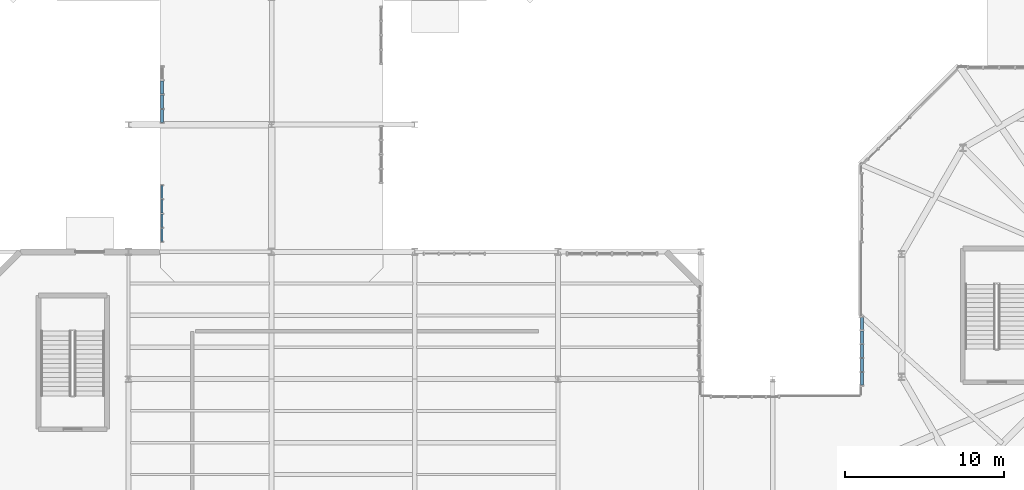
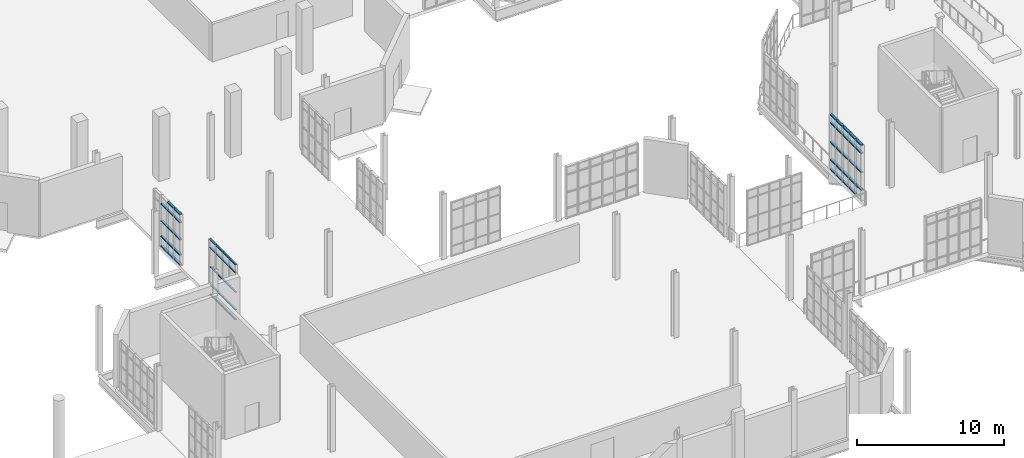
# One storey, part 115 of 189: 58 members, 3 elements without a shape of their own.
"""IFC4 building model written with IfcOpenShell, lengths in metres."""

from ifc_helpers import new_model, si_unit, direction, frame, origin, origin_2d, place, context, subcontext, project, spatial, hollow_rectangle, extrude, material, layer, layer_set, material_profile, profile_set, type_object, element, aggregate, save


model = new_model("IFC4")

# Units and contexts
model_context = context("Model", 3, precision=1e-05, world=origin(), true_north=direction((0.0, 1.0)))
body_context = subcontext(model_context, "Body", "Model", "MODEL_VIEW")
ifc_project = project(units=[si_unit("LENGTHUNIT", "METRE"), si_unit("AREAUNIT", "SQUARE_METRE"), si_unit("VOLUMEUNIT", "CUBIC_METRE"), si_unit("PLANEANGLEUNIT", "RADIAN"), si_unit("MASSUNIT", "GRAM", prefix="KILO"), si_unit("THERMODYNAMICTEMPERATUREUNIT", "KELVIN"), si_unit("POWERUNIT", "WATT")], contexts=[model_context])

# Site, building, storey
site_placement = place(None, origin())
site = spatial("IfcSite", under=ifc_project, at=site_placement, CompositionType="ELEMENT")
building_placement = place(site_placement, origin())
building = spatial("IfcBuilding", under=site, at=building_placement, Name="Zelmaris Science Centre", CompositionType="ELEMENT")
storey_placement = place(building_placement, origin())
storey = spatial("IfcBuildingStorey", under=building, at=storey_placement, Name="L00", CompositionType="ELEMENT", Elevation=0.0)

# Curtain wall, members
ifc_material = material(Name="Anodised architectural aluminium 6063-T6", Category="aluminium")
ifc_layer_1 = layer(ifc_material, 0.2099609375, Name="Anodised architectural aluminium 6063-T6")
ifc_layer_set_1 = layer_set([ifc_layer_1], Name="Anodised architectural aluminium 6063-T6")
curtain_wall_type_1 = type_object("IfcCurtainWallType", Name="Curtain Wall CW-03", PredefinedType="USERDEFINED", material=ifc_layer_set_1)
curtain_wall_1_placement = place(storey_placement, origin())
curtain_wall_1 = element("IfcCurtainWall", 1, at=curtain_wall_1_placement, inside=storey, type_object=curtain_wall_type_1, Name="L00 Unitised curtain wall 7", ObjectType="GLAZED CURTAIN WALL", PredefinedType="USERDEFINED")
ifc_material_profile_1 = material_profile(ifc_material, hollow_rectangle(XDim=0.06494140625, YDim=0.1298828125, WallThickness=0.00341796875, at=origin_2d()), Name="ALU-TRN-65X130")
ifc_profile_set_1 = profile_set([ifc_material_profile_1], Name="Anodised architectural aluminium 6063-T6")
member_type_1 = type_object("IfcMemberType", Name="ALU-TRN-65X130", PredefinedType="USERDEFINED", material=ifc_profile_set_1)
member_1_placement = place(storey_placement, frame((20.119384765625, 40.651123046875, 0.013427734375), z_axis=(-0.000297973765, 0.999999955606, 0.0), x_axis=(0.0, 0.0, 1.0)))
member_1 = element("IfcMember", 2, at=member_1_placement, type_object=member_type_1, Name="CW-03 transom 1.1", ObjectType="TRANSOM", PredefinedType="USERDEFINED", context=body_context, shape_type="SweptSolid", body=[
    extrude(hollow_rectangle(XDim=0.06494140625, YDim=0.1298828125, WallThickness=0.00341796875, at=origin_2d()), origin(), (0.0, 0.0, 1.0), 0.8193359375),
])
member_2_placement = place(storey_placement, frame((20.119384765625, 40.651123046875, 0.8349609375), z_axis=(-0.000297973765, 0.999999955606, 0.0), x_axis=(0.0, 0.0, 1.0)))
member_2 = element("IfcMember", 3, at=member_2_placement, type_object=member_type_1, Name="CW-03 transom 1.2", ObjectType="TRANSOM", PredefinedType="USERDEFINED", context=body_context, shape_type="SweptSolid", body=[
    extrude(hollow_rectangle(XDim=0.06494140625, YDim=0.1298828125, WallThickness=0.00341796875, at=origin_2d()), origin(), (0.0, 0.0, 1.0), 0.8193359375),
])
member_3_placement = place(storey_placement, frame((20.119384765625, 40.651123046875, 2.29248046875), z_axis=(-0.000297973765, 0.999999955606, 0.0), x_axis=(0.0, 0.0, 1.0)))
member_3 = element("IfcMember", 4, at=member_3_placement, type_object=member_type_1, Name="CW-03 transom 1.3", ObjectType="TRANSOM", PredefinedType="USERDEFINED", context=body_context, shape_type="SweptSolid", body=[
    extrude(hollow_rectangle(XDim=0.06494140625, YDim=0.1298828125, WallThickness=0.00341796875, at=origin_2d()), origin(), (0.0, 0.0, 1.0), 0.8193359375),
])
member_4_placement = place(storey_placement, frame((20.119384765625, 40.651123046875, 3.89990234375), z_axis=(-0.000297973765, 0.999999955606, 0.0), x_axis=(0.0, 0.0, 1.0)))
member_4 = element("IfcMember", 5, at=member_4_placement, type_object=member_type_1, Name="CW-03 transom 1.4", ObjectType="TRANSOM", PredefinedType="USERDEFINED", context=body_context, shape_type="SweptSolid", body=[
    extrude(hollow_rectangle(XDim=0.06494140625, YDim=0.1298828125, WallThickness=0.00341796875, at=origin_2d()), origin(), (0.0, 0.0, 1.0), 0.8193359375),
])
member_5_placement = place(storey_placement, frame((20.119384765625, 40.651123046875, 4.571533203125), z_axis=(-0.000297973765, 0.999999955606, 0.0), x_axis=(0.0, 0.0, 1.0)))
member_5 = element("IfcMember", 6, at=member_5_placement, type_object=member_type_1, Name="CW-03 transom 1.5", ObjectType="TRANSOM", PredefinedType="USERDEFINED", context=body_context, shape_type="SweptSolid", body=[
    extrude(hollow_rectangle(XDim=0.06494140625, YDim=0.1298828125, WallThickness=0.00341796875, at=origin_2d()), origin(), (0.0, 0.0, 1.0), 0.8193359375),
])
member_6_placement = place(storey_placement, frame((20.119140625, 41.52734375, 0.013427734375), z_axis=(-0.000576036771, 0.999999834091, 0.0), x_axis=(0.0, 0.0, 1.0)))
member_6 = element("IfcMember", 7, at=member_6_placement, type_object=member_type_1, Name="CW-03 transom 2.1", ObjectType="TRANSOM", PredefinedType="USERDEFINED", context=body_context, shape_type="SweptSolid", body=[
    extrude(hollow_rectangle(XDim=0.06494140625, YDim=0.1298828125, WallThickness=0.00341796875, at=origin_2d()), origin(), (0.0, 0.0, 1.0), 0.84765625),
])
member_7_placement = place(storey_placement, frame((20.119140625, 41.52734375, 0.8349609375), z_axis=(-0.000576036771, 0.999999834091, 0.0), x_axis=(0.0, 0.0, 1.0)))
member_7 = element("IfcMember", 8, at=member_7_placement, type_object=member_type_1, Name="CW-03 transom 2.2", ObjectType="TRANSOM", PredefinedType="USERDEFINED", context=body_context, shape_type="SweptSolid", body=[
    extrude(hollow_rectangle(XDim=0.06494140625, YDim=0.1298828125, WallThickness=0.00341796875, at=origin_2d()), origin(), (0.0, 0.0, 1.0), 0.84765625),
])
member_8_placement = place(storey_placement, frame((20.119140625, 41.52734375, 2.29248046875), z_axis=(-0.000576036771, 0.999999834091, 0.0), x_axis=(0.0, 0.0, 1.0)))
member_8 = element("IfcMember", 9, at=member_8_placement, type_object=member_type_1, Name="CW-03 transom 2.3", ObjectType="TRANSOM", PredefinedType="USERDEFINED", context=body_context, shape_type="SweptSolid", body=[
    extrude(hollow_rectangle(XDim=0.06494140625, YDim=0.1298828125, WallThickness=0.00341796875, at=origin_2d()), origin(), (0.0, 0.0, 1.0), 0.84765625),
])
member_9_placement = place(storey_placement, frame((20.119140625, 41.52734375, 3.89990234375), z_axis=(-0.000576036771, 0.999999834091, 0.0), x_axis=(0.0, 0.0, 1.0)))
member_9 = element("IfcMember", 10, at=member_9_placement, type_object=member_type_1, Name="CW-03 transom 2.4", ObjectType="TRANSOM", PredefinedType="USERDEFINED", context=body_context, shape_type="SweptSolid", body=[
    extrude(hollow_rectangle(XDim=0.06494140625, YDim=0.1298828125, WallThickness=0.00341796875, at=origin_2d()), origin(), (0.0, 0.0, 1.0), 0.84765625),
])
member_10_placement = place(storey_placement, frame((20.119140625, 41.52734375, 4.571533203125), z_axis=(-0.000576036771, 0.999999834091, 0.0), x_axis=(0.0, 0.0, 1.0)))
member_10 = element("IfcMember", 11, at=member_10_placement, type_object=member_type_1, Name="CW-03 transom 2.5", ObjectType="TRANSOM", PredefinedType="USERDEFINED", context=body_context, shape_type="SweptSolid", body=[
    extrude(hollow_rectangle(XDim=0.06494140625, YDim=0.1298828125, WallThickness=0.00341796875, at=origin_2d()), origin(), (0.0, 0.0, 1.0), 0.84765625),
])
member_11_placement = place(storey_placement, frame((20.11865234375, 42.431884765625, 0.013427734375), z_axis=(-0.000288018421, 0.999999958523, 0.0), x_axis=(0.0, 0.0, 1.0)))
member_11 = element("IfcMember", 12, at=member_11_placement, type_object=member_type_1, Name="CW-03 transom 3.1", ObjectType="TRANSOM", PredefinedType="USERDEFINED", context=body_context, shape_type="SweptSolid", body=[
    extrude(hollow_rectangle(XDim=0.06494140625, YDim=0.1298828125, WallThickness=0.00341796875, at=origin_2d()), origin(), (0.0, 0.0, 1.0), 0.84765625),
])
member_12_placement = place(storey_placement, frame((20.11865234375, 42.431884765625, 0.8349609375), z_axis=(-0.000288018421, 0.999999958523, 0.0), x_axis=(0.0, 0.0, 1.0)))
member_12 = element("IfcMember", 13, at=member_12_placement, type_object=member_type_1, Name="CW-03 transom 3.2", ObjectType="TRANSOM", PredefinedType="USERDEFINED", context=body_context, shape_type="SweptSolid", body=[
    extrude(hollow_rectangle(XDim=0.06494140625, YDim=0.1298828125, WallThickness=0.00341796875, at=origin_2d()), origin(), (0.0, 0.0, 1.0), 0.84765625),
])
member_13_placement = place(storey_placement, frame((20.11865234375, 42.431884765625, 2.29248046875), z_axis=(-0.000288018421, 0.999999958523, 0.0), x_axis=(0.0, 0.0, 1.0)))
member_13 = element("IfcMember", 14, at=member_13_placement, type_object=member_type_1, Name="CW-03 transom 3.3", ObjectType="TRANSOM", PredefinedType="USERDEFINED", context=body_context, shape_type="SweptSolid", body=[
    extrude(hollow_rectangle(XDim=0.06494140625, YDim=0.1298828125, WallThickness=0.00341796875, at=origin_2d()), origin(), (0.0, 0.0, 1.0), 0.84765625),
])
member_14_placement = place(storey_placement, frame((20.11865234375, 42.431884765625, 3.89990234375), z_axis=(-0.000288018421, 0.999999958523, 0.0), x_axis=(0.0, 0.0, 1.0)))
member_14 = element("IfcMember", 15, at=member_14_placement, type_object=member_type_1, Name="CW-03 transom 3.4", ObjectType="TRANSOM", PredefinedType="USERDEFINED", context=body_context, shape_type="SweptSolid", body=[
    extrude(hollow_rectangle(XDim=0.06494140625, YDim=0.1298828125, WallThickness=0.00341796875, at=origin_2d()), origin(), (0.0, 0.0, 1.0), 0.84765625),
])
member_15_placement = place(storey_placement, frame((20.11865234375, 42.431884765625, 4.571533203125), z_axis=(-0.000288018421, 0.999999958523, 0.0), x_axis=(0.0, 0.0, 1.0)))
member_15 = element("IfcMember", 16, at=member_15_placement, type_object=member_type_1, Name="CW-03 transom 3.5", ObjectType="TRANSOM", PredefinedType="USERDEFINED", context=body_context, shape_type="SweptSolid", body=[
    extrude(hollow_rectangle(XDim=0.06494140625, YDim=0.1298828125, WallThickness=0.00341796875, at=origin_2d()), origin(), (0.0, 0.0, 1.0), 0.84765625),
])
member_16_placement = place(storey_placement, frame((20.118408203125, 43.336669921875, 0.013427734375), z_axis=(-0.00059612508, 0.999999822317, 0.0), x_axis=(0.0, 0.0, 1.0)))
member_16 = element("IfcMember", 17, at=member_16_placement, type_object=member_type_1, Name="CW-03 transom 4.1", ObjectType="TRANSOM", PredefinedType="USERDEFINED", context=body_context, shape_type="SweptSolid", body=[
    extrude(hollow_rectangle(XDim=0.06494140625, YDim=0.1298828125, WallThickness=0.00341796875, at=origin_2d()), origin(), (0.0, 0.0, 1.0), 0.819091796875),
])
member_17_placement = place(storey_placement, frame((20.118408203125, 43.336669921875, 0.8349609375), z_axis=(-0.00059612508, 0.999999822317, 0.0), x_axis=(0.0, 0.0, 1.0)))
member_17 = element("IfcMember", 18, at=member_17_placement, type_object=member_type_1, Name="CW-03 transom 4.2", ObjectType="TRANSOM", PredefinedType="USERDEFINED", context=body_context, shape_type="SweptSolid", body=[
    extrude(hollow_rectangle(XDim=0.06494140625, YDim=0.1298828125, WallThickness=0.00341796875, at=origin_2d()), origin(), (0.0, 0.0, 1.0), 0.819091796875),
])
member_18_placement = place(storey_placement, frame((20.118408203125, 43.336669921875, 2.29248046875), z_axis=(-0.00059612508, 0.999999822317, 0.0), x_axis=(0.0, 0.0, 1.0)))
member_18 = element("IfcMember", 19, at=member_18_placement, type_object=member_type_1, Name="CW-03 transom 4.3", ObjectType="TRANSOM", PredefinedType="USERDEFINED", context=body_context, shape_type="SweptSolid", body=[
    extrude(hollow_rectangle(XDim=0.06494140625, YDim=0.1298828125, WallThickness=0.00341796875, at=origin_2d()), origin(), (0.0, 0.0, 1.0), 0.819091796875),
])
member_19_placement = place(storey_placement, frame((20.118408203125, 43.336669921875, 3.89990234375), z_axis=(-0.00059612508, 0.999999822317, 0.0), x_axis=(0.0, 0.0, 1.0)))
member_19 = element("IfcMember", 20, at=member_19_placement, type_object=member_type_1, Name="CW-03 transom 4.4", ObjectType="TRANSOM", PredefinedType="USERDEFINED", context=body_context, shape_type="SweptSolid", body=[
    extrude(hollow_rectangle(XDim=0.06494140625, YDim=0.1298828125, WallThickness=0.00341796875, at=origin_2d()), origin(), (0.0, 0.0, 1.0), 0.819091796875),
])
member_20_placement = place(storey_placement, frame((20.118408203125, 43.336669921875, 4.571533203125), z_axis=(-0.00059612508, 0.999999822317, 0.0), x_axis=(0.0, 0.0, 1.0)))
member_20 = element("IfcMember", 21, at=member_20_placement, type_object=member_type_1, Name="CW-03 transom 4.5", ObjectType="TRANSOM", PredefinedType="USERDEFINED", context=body_context, shape_type="SweptSolid", body=[
    extrude(hollow_rectangle(XDim=0.06494140625, YDim=0.1298828125, WallThickness=0.00341796875, at=origin_2d()), origin(), (0.0, 0.0, 1.0), 0.819091796875),
])
aggregate(curtain_wall_1, [member_1, member_2, member_3, member_4, member_5, member_6, member_7, member_8, member_9, member_10, member_11, member_12, member_13, member_14, member_15, member_16, member_17, member_18, member_19, member_20])

ifc_layer_2 = layer(ifc_material, 0.18994140625, Name="Anodised architectural aluminium 6063-T6")
ifc_layer_set_2 = layer_set([ifc_layer_2], Name="Anodised architectural aluminium 6063-T6")
curtain_wall_type_2 = type_object("IfcCurtainWallType", Name="Curtain Wall CW-01", PredefinedType="USERDEFINED", material=ifc_layer_set_2)
curtain_wall_2_placement = place(storey_placement, origin())
curtain_wall_2 = element("IfcCurtainWall", 22, at=curtain_wall_2_placement, inside=storey, type_object=curtain_wall_type_2, Name="L00 Unitised curtain wall 9", ObjectType="GLAZED CURTAIN WALL", PredefinedType="USERDEFINED")
ifc_material_profile_2 = material_profile(ifc_material, hollow_rectangle(XDim=0.080078125, YDim=0.18994140625, WallThickness=0.00439453125, at=origin_2d()), Name="ALU-TRN-80X190")
ifc_profile_set_2 = profile_set([ifc_material_profile_2], Name="Anodised architectural aluminium 6063-T6")
member_type_2 = type_object("IfcMemberType", Name="ALU-TRN-80X190", PredefinedType="USERDEFINED", material=ifc_profile_set_2)
member_21_placement = place(storey_placement, frame((20.1162109375, 48.143310546875, 0.02099609375), z_axis=(-0.000306466428, 0.999999953039, 0.0), x_axis=(0.0, 0.0, 1.0)))
member_21 = element("IfcMember", 23, at=member_21_placement, type_object=member_type_2, Name="CW-01 transom 1.1", ObjectType="TRANSOM", PredefinedType="USERDEFINED", context=body_context, shape_type="SweptSolid", body=[
    extrude(hollow_rectangle(XDim=0.080078125, YDim=0.18994140625, WallThickness=0.00439453125, at=origin_2d()), origin(), (0.0, 0.0, 1.0), 0.796630859375),
])
member_22_placement = place(storey_placement, frame((20.1162109375, 48.143310546875, 0.8349609375), z_axis=(-0.000306466428, 0.999999953039, 0.0), x_axis=(0.0, 0.0, 1.0)))
member_22 = element("IfcMember", 24, at=member_22_placement, type_object=member_type_2, Name="CW-01 transom 1.2", ObjectType="TRANSOM", PredefinedType="USERDEFINED", context=body_context, shape_type="SweptSolid", body=[
    extrude(hollow_rectangle(XDim=0.080078125, YDim=0.18994140625, WallThickness=0.00439453125, at=origin_2d()), origin(), (0.0, 0.0, 1.0), 0.796630859375),
])
member_23_placement = place(storey_placement, frame((20.1162109375, 48.143310546875, 2.109619140625), z_axis=(-0.000306466428, 0.999999953039, 0.0), x_axis=(0.0, 0.0, 1.0)))
member_23 = element("IfcMember", 25, at=member_23_placement, type_object=member_type_2, Name="CW-01 transom 1.3", ObjectType="TRANSOM", PredefinedType="USERDEFINED", context=body_context, shape_type="SweptSolid", body=[
    extrude(hollow_rectangle(XDim=0.080078125, YDim=0.18994140625, WallThickness=0.00439453125, at=origin_2d()), origin(), (0.0, 0.0, 1.0), 0.796630859375),
])
member_24_placement = place(storey_placement, frame((20.1162109375, 48.143310546875, 3.533935546875), z_axis=(-0.000306466428, 0.999999953039, 0.0), x_axis=(0.0, 0.0, 1.0)))
member_24 = element("IfcMember", 26, at=member_24_placement, type_object=member_type_2, Name="CW-01 transom 1.4", ObjectType="TRANSOM", PredefinedType="USERDEFINED", context=body_context, shape_type="SweptSolid", body=[
    extrude(hollow_rectangle(XDim=0.080078125, YDim=0.18994140625, WallThickness=0.00439453125, at=origin_2d()), origin(), (0.0, 0.0, 1.0), 0.796630859375),
])
member_25_placement = place(storey_placement, frame((20.1162109375, 48.143310546875, 4.197998046875), z_axis=(-0.000306466428, 0.999999953039, 0.0), x_axis=(0.0, 0.0, 1.0)))
member_25 = element("IfcMember", 27, at=member_25_placement, type_object=member_type_2, Name="CW-01 transom 1.5", ObjectType="TRANSOM", PredefinedType="USERDEFINED", context=body_context, shape_type="SweptSolid", body=[
    extrude(hollow_rectangle(XDim=0.080078125, YDim=0.18994140625, WallThickness=0.00439453125, at=origin_2d()), origin(), (0.0, 0.0, 1.0), 0.796630859375),
])
member_26_placement = place(storey_placement, frame((20.115966796875, 49.011962890625, 0.02099609375), z_axis=(-0.000586510163, 0.999999828003, 0.0), x_axis=(0.0, 0.0, 1.0)))
member_26 = element("IfcMember", 28, at=member_26_placement, type_object=member_type_2, Name="CW-01 transom 2.1", ObjectType="TRANSOM", PredefinedType="USERDEFINED", context=body_context, shape_type="SweptSolid", body=[
    extrude(hollow_rectangle(XDim=0.080078125, YDim=0.18994140625, WallThickness=0.00439453125, at=origin_2d()), origin(), (0.0, 0.0, 1.0), 0.83251953125),
])
member_27_placement = place(storey_placement, frame((20.115966796875, 49.011962890625, 0.8349609375), z_axis=(-0.000586510163, 0.999999828003, 0.0), x_axis=(0.0, 0.0, 1.0)))
member_27 = element("IfcMember", 29, at=member_27_placement, type_object=member_type_2, Name="CW-01 transom 2.2", ObjectType="TRANSOM", PredefinedType="USERDEFINED", context=body_context, shape_type="SweptSolid", body=[
    extrude(hollow_rectangle(XDim=0.080078125, YDim=0.18994140625, WallThickness=0.00439453125, at=origin_2d()), origin(), (0.0, 0.0, 1.0), 0.83251953125),
])
member_28_placement = place(storey_placement, frame((20.115966796875, 49.011962890625, 2.109619140625), z_axis=(-0.000586510163, 0.999999828003, 0.0), x_axis=(0.0, 0.0, 1.0)))
member_28 = element("IfcMember", 30, at=member_28_placement, type_object=member_type_2, Name="CW-01 transom 2.3", ObjectType="TRANSOM", PredefinedType="USERDEFINED", context=body_context, shape_type="SweptSolid", body=[
    extrude(hollow_rectangle(XDim=0.080078125, YDim=0.18994140625, WallThickness=0.00439453125, at=origin_2d()), origin(), (0.0, 0.0, 1.0), 0.83251953125),
])
member_29_placement = place(storey_placement, frame((20.115966796875, 49.011962890625, 3.533935546875), z_axis=(-0.000586510163, 0.999999828003, 0.0), x_axis=(0.0, 0.0, 1.0)))
member_29 = element("IfcMember", 31, at=member_29_placement, type_object=member_type_2, Name="CW-01 transom 2.4", ObjectType="TRANSOM", PredefinedType="USERDEFINED", context=body_context, shape_type="SweptSolid", body=[
    extrude(hollow_rectangle(XDim=0.080078125, YDim=0.18994140625, WallThickness=0.00439453125, at=origin_2d()), origin(), (0.0, 0.0, 1.0), 0.83251953125),
])
member_30_placement = place(storey_placement, frame((20.115966796875, 49.011962890625, 4.197998046875), z_axis=(-0.000586510163, 0.999999828003, 0.0), x_axis=(0.0, 0.0, 1.0)))
member_30 = element("IfcMember", 32, at=member_30_placement, type_object=member_type_2, Name="CW-01 transom 2.5", ObjectType="TRANSOM", PredefinedType="USERDEFINED", context=body_context, shape_type="SweptSolid", body=[
    extrude(hollow_rectangle(XDim=0.080078125, YDim=0.18994140625, WallThickness=0.00439453125, at=origin_2d()), origin(), (0.0, 0.0, 1.0), 0.83251953125),
])
member_31_placement = place(storey_placement, frame((20.115478515625, 49.91650390625, 0.02099609375), z_axis=(-0.000293169146, 0.999999957026, 0.0), x_axis=(0.0, 0.0, 1.0)))
member_31 = element("IfcMember", 33, at=member_31_placement, type_object=member_type_2, Name="CW-01 transom 3.1", ObjectType="TRANSOM", PredefinedType="USERDEFINED", context=body_context, shape_type="SweptSolid", body=[
    extrude(hollow_rectangle(XDim=0.080078125, YDim=0.18994140625, WallThickness=0.00439453125, at=origin_2d()), origin(), (0.0, 0.0, 1.0), 0.832763671875),
])
member_32_placement = place(storey_placement, frame((20.115478515625, 49.91650390625, 0.8349609375), z_axis=(-0.000293169146, 0.999999957026, 0.0), x_axis=(0.0, 0.0, 1.0)))
member_32 = element("IfcMember", 34, at=member_32_placement, type_object=member_type_2, Name="CW-01 transom 3.2", ObjectType="TRANSOM", PredefinedType="USERDEFINED", context=body_context, shape_type="SweptSolid", body=[
    extrude(hollow_rectangle(XDim=0.080078125, YDim=0.18994140625, WallThickness=0.00439453125, at=origin_2d()), origin(), (0.0, 0.0, 1.0), 0.832763671875),
])
member_33_placement = place(storey_placement, frame((20.115478515625, 49.91650390625, 2.109619140625), z_axis=(-0.000293169146, 0.999999957026, 0.0), x_axis=(0.0, 0.0, 1.0)))
member_33 = element("IfcMember", 35, at=member_33_placement, type_object=member_type_2, Name="CW-01 transom 3.3", ObjectType="TRANSOM", PredefinedType="USERDEFINED", context=body_context, shape_type="SweptSolid", body=[
    extrude(hollow_rectangle(XDim=0.080078125, YDim=0.18994140625, WallThickness=0.00439453125, at=origin_2d()), origin(), (0.0, 0.0, 1.0), 0.832763671875),
])
member_34_placement = place(storey_placement, frame((20.115478515625, 49.91650390625, 3.533935546875), z_axis=(-0.000293169146, 0.999999957026, 0.0), x_axis=(0.0, 0.0, 1.0)))
member_34 = element("IfcMember", 36, at=member_34_placement, type_object=member_type_2, Name="CW-01 transom 3.4", ObjectType="TRANSOM", PredefinedType="USERDEFINED", context=body_context, shape_type="SweptSolid", body=[
    extrude(hollow_rectangle(XDim=0.080078125, YDim=0.18994140625, WallThickness=0.00439453125, at=origin_2d()), origin(), (0.0, 0.0, 1.0), 0.832763671875),
])
aggregate(curtain_wall_2, [member_21, member_22, member_23, member_24, member_25, member_26, member_27, member_28, member_29, member_30, member_31, member_32, member_33, member_34])

curtain_wall_3_placement = place(storey_placement, origin())
curtain_wall_3 = element("IfcCurtainWall", 37, at=curtain_wall_3_placement, inside=storey, type_object=curtain_wall_type_2, Name="L00 Unitised curtain wall 49", ObjectType="GLAZED CURTAIN WALL", PredefinedType="USERDEFINED")
member_35_placement = place(storey_placement, frame((64.10693359375, 31.6337890625, 0.8349609375), z_axis=(0.000952078274, 0.999999546773, 0.0), x_axis=(0.0, 0.0, 1.0)))
member_35 = element("IfcMember", 38, at=member_35_placement, type_object=member_type_2, Name="CW-01 transom 1.2", ObjectType="TRANSOM", PredefinedType="USERDEFINED", context=body_context, shape_type="SweptSolid", body=[
    extrude(hollow_rectangle(XDim=0.080078125, YDim=0.18994140625, WallThickness=0.00439453125, at=origin_2d()), origin(), (0.0, 0.0, 1.0), 0.769287109375),
])
member_36_placement = place(storey_placement, frame((64.10693359375, 31.6337890625, 2.29248046875), z_axis=(0.000952078274, 0.999999546773, 0.0), x_axis=(0.0, 0.0, 1.0)))
member_36 = element("IfcMember", 39, at=member_36_placement, type_object=member_type_2, Name="CW-01 transom 1.3", ObjectType="TRANSOM", PredefinedType="USERDEFINED", context=body_context, shape_type="SweptSolid", body=[
    extrude(hollow_rectangle(XDim=0.080078125, YDim=0.18994140625, WallThickness=0.00439453125, at=origin_2d()), origin(), (0.0, 0.0, 1.0), 0.769287109375),
])
member_37_placement = place(storey_placement, frame((64.10693359375, 31.6337890625, 3.89990234375), z_axis=(0.000952078274, 0.999999546773, 0.0), x_axis=(0.0, 0.0, 1.0)))
member_37 = element("IfcMember", 40, at=member_37_placement, type_object=member_type_2, Name="CW-01 transom 1.4", ObjectType="TRANSOM", PredefinedType="USERDEFINED", context=body_context, shape_type="SweptSolid", body=[
    extrude(hollow_rectangle(XDim=0.080078125, YDim=0.18994140625, WallThickness=0.00439453125, at=origin_2d()), origin(), (0.0, 0.0, 1.0), 0.769287109375),
])
member_38_placement = place(storey_placement, frame((64.10693359375, 31.6337890625, 4.56396484375), z_axis=(0.000952078274, 0.999999546773, 0.0), x_axis=(0.0, 0.0, 1.0)))
member_38 = element("IfcMember", 41, at=member_38_placement, type_object=member_type_2, Name="CW-01 transom 1.5", ObjectType="TRANSOM", PredefinedType="USERDEFINED", context=body_context, shape_type="SweptSolid", body=[
    extrude(hollow_rectangle(XDim=0.080078125, YDim=0.18994140625, WallThickness=0.00439453125, at=origin_2d()), origin(), (0.0, 0.0, 1.0), 0.769287109375),
])
member_39_placement = place(storey_placement, frame((64.107666015625, 32.47509765625, 0.02099609375), z_axis=(0.000909641831, 0.999999586276, 0.0), x_axis=(0.0, 0.0, 1.0)))
member_39 = element("IfcMember", 42, at=member_39_placement, type_object=member_type_2, Name="CW-01 transom 2.1", ObjectType="TRANSOM", PredefinedType="USERDEFINED", context=body_context, shape_type="SweptSolid", body=[
    extrude(hollow_rectangle(XDim=0.080078125, YDim=0.18994140625, WallThickness=0.00439453125, at=origin_2d()), origin(), (0.0, 0.0, 1.0), 0.80517578125),
])
member_40_placement = place(storey_placement, frame((64.107666015625, 32.47509765625, 0.8349609375), z_axis=(0.000909641831, 0.999999586276, 0.0), x_axis=(0.0, 0.0, 1.0)))
member_40 = element("IfcMember", 43, at=member_40_placement, type_object=member_type_2, Name="CW-01 transom 2.2", ObjectType="TRANSOM", PredefinedType="USERDEFINED", context=body_context, shape_type="SweptSolid", body=[
    extrude(hollow_rectangle(XDim=0.080078125, YDim=0.18994140625, WallThickness=0.00439453125, at=origin_2d()), origin(), (0.0, 0.0, 1.0), 0.80517578125),
])
member_41_placement = place(storey_placement, frame((64.107666015625, 32.47509765625, 2.29248046875), z_axis=(0.000909641831, 0.999999586276, 0.0), x_axis=(0.0, 0.0, 1.0)))
member_41 = element("IfcMember", 44, at=member_41_placement, type_object=member_type_2, Name="CW-01 transom 2.3", ObjectType="TRANSOM", PredefinedType="USERDEFINED", context=body_context, shape_type="SweptSolid", body=[
    extrude(hollow_rectangle(XDim=0.080078125, YDim=0.18994140625, WallThickness=0.00439453125, at=origin_2d()), origin(), (0.0, 0.0, 1.0), 0.80517578125),
])
member_42_placement = place(storey_placement, frame((64.107666015625, 32.47509765625, 3.89990234375), z_axis=(0.000909641831, 0.999999586276, 0.0), x_axis=(0.0, 0.0, 1.0)))
member_42 = element("IfcMember", 45, at=member_42_placement, type_object=member_type_2, Name="CW-01 transom 2.4", ObjectType="TRANSOM", PredefinedType="USERDEFINED", context=body_context, shape_type="SweptSolid", body=[
    extrude(hollow_rectangle(XDim=0.080078125, YDim=0.18994140625, WallThickness=0.00439453125, at=origin_2d()), origin(), (0.0, 0.0, 1.0), 0.80517578125),
])
member_43_placement = place(storey_placement, frame((64.107666015625, 32.47509765625, 4.56396484375), z_axis=(0.000909641831, 0.999999586276, 0.0), x_axis=(0.0, 0.0, 1.0)))
member_43 = element("IfcMember", 46, at=member_43_placement, type_object=member_type_2, Name="CW-01 transom 2.5", ObjectType="TRANSOM", PredefinedType="USERDEFINED", context=body_context, shape_type="SweptSolid", body=[
    extrude(hollow_rectangle(XDim=0.080078125, YDim=0.18994140625, WallThickness=0.00439453125, at=origin_2d()), origin(), (0.0, 0.0, 1.0), 0.80517578125),
])
member_44_placement = place(storey_placement, frame((64.108642578125, 33.352294921875, 0.02099609375), z_axis=(0.000909641831, 0.999999586276, 0.0), x_axis=(0.0, 0.0, 1.0)))
member_44 = element("IfcMember", 47, at=member_44_placement, type_object=member_type_2, Name="CW-01 transom 3.1", ObjectType="TRANSOM", PredefinedType="USERDEFINED", context=body_context, shape_type="SweptSolid", body=[
    extrude(hollow_rectangle(XDim=0.080078125, YDim=0.18994140625, WallThickness=0.00439453125, at=origin_2d()), origin(), (0.0, 0.0, 1.0), 0.80517578125),
])
member_45_placement = place(storey_placement, frame((64.108642578125, 33.352294921875, 0.8349609375), z_axis=(0.000909641831, 0.999999586276, 0.0), x_axis=(0.0, 0.0, 1.0)))
member_45 = element("IfcMember", 48, at=member_45_placement, type_object=member_type_2, Name="CW-01 transom 3.2", ObjectType="TRANSOM", PredefinedType="USERDEFINED", context=body_context, shape_type="SweptSolid", body=[
    extrude(hollow_rectangle(XDim=0.080078125, YDim=0.18994140625, WallThickness=0.00439453125, at=origin_2d()), origin(), (0.0, 0.0, 1.0), 0.80517578125),
])
member_46_placement = place(storey_placement, frame((64.108642578125, 33.352294921875, 2.29248046875), z_axis=(0.000909641831, 0.999999586276, 0.0), x_axis=(0.0, 0.0, 1.0)))
member_46 = element("IfcMember", 49, at=member_46_placement, type_object=member_type_2, Name="CW-01 transom 3.3", ObjectType="TRANSOM", PredefinedType="USERDEFINED", context=body_context, shape_type="SweptSolid", body=[
    extrude(hollow_rectangle(XDim=0.080078125, YDim=0.18994140625, WallThickness=0.00439453125, at=origin_2d()), origin(), (0.0, 0.0, 1.0), 0.80517578125),
])
member_47_placement = place(storey_placement, frame((64.108642578125, 33.352294921875, 3.89990234375), z_axis=(0.000909641831, 0.999999586276, 0.0), x_axis=(0.0, 0.0, 1.0)))
member_47 = element("IfcMember", 50, at=member_47_placement, type_object=member_type_2, Name="CW-01 transom 3.4", ObjectType="TRANSOM", PredefinedType="USERDEFINED", context=body_context, shape_type="SweptSolid", body=[
    extrude(hollow_rectangle(XDim=0.080078125, YDim=0.18994140625, WallThickness=0.00439453125, at=origin_2d()), origin(), (0.0, 0.0, 1.0), 0.80517578125),
])
member_48_placement = place(storey_placement, frame((64.108642578125, 33.352294921875, 4.56396484375), z_axis=(0.000909641831, 0.999999586276, 0.0), x_axis=(0.0, 0.0, 1.0)))
member_48 = element("IfcMember", 51, at=member_48_placement, type_object=member_type_2, Name="CW-01 transom 3.5", ObjectType="TRANSOM", PredefinedType="USERDEFINED", context=body_context, shape_type="SweptSolid", body=[
    extrude(hollow_rectangle(XDim=0.080078125, YDim=0.18994140625, WallThickness=0.00439453125, at=origin_2d()), origin(), (0.0, 0.0, 1.0), 0.80517578125),
])
member_49_placement = place(storey_placement, frame((64.109375, 34.2294921875, 0.02099609375), z_axis=(0.000909641831, 0.999999586276, 0.0), x_axis=(0.0, 0.0, 1.0)))
member_49 = element("IfcMember", 52, at=member_49_placement, type_object=member_type_2, Name="CW-01 transom 4.1", ObjectType="TRANSOM", PredefinedType="USERDEFINED", context=body_context, shape_type="SweptSolid", body=[
    extrude(hollow_rectangle(XDim=0.080078125, YDim=0.18994140625, WallThickness=0.00439453125, at=origin_2d()), origin(), (0.0, 0.0, 1.0), 0.80517578125),
])
member_50_placement = place(storey_placement, frame((64.109375, 34.2294921875, 0.8349609375), z_axis=(0.000909641831, 0.999999586276, 0.0), x_axis=(0.0, 0.0, 1.0)))
member_50 = element("IfcMember", 53, at=member_50_placement, type_object=member_type_2, Name="CW-01 transom 4.2", ObjectType="TRANSOM", PredefinedType="USERDEFINED", context=body_context, shape_type="SweptSolid", body=[
    extrude(hollow_rectangle(XDim=0.080078125, YDim=0.18994140625, WallThickness=0.00439453125, at=origin_2d()), origin(), (0.0, 0.0, 1.0), 0.80517578125),
])
member_51_placement = place(storey_placement, frame((64.109375, 34.2294921875, 2.29248046875), z_axis=(0.000909641831, 0.999999586276, 0.0), x_axis=(0.0, 0.0, 1.0)))
member_51 = element("IfcMember", 54, at=member_51_placement, type_object=member_type_2, Name="CW-01 transom 4.3", ObjectType="TRANSOM", PredefinedType="USERDEFINED", context=body_context, shape_type="SweptSolid", body=[
    extrude(hollow_rectangle(XDim=0.080078125, YDim=0.18994140625, WallThickness=0.00439453125, at=origin_2d()), origin(), (0.0, 0.0, 1.0), 0.80517578125),
])
member_52_placement = place(storey_placement, frame((64.109375, 34.2294921875, 3.89990234375), z_axis=(0.000909641831, 0.999999586276, 0.0), x_axis=(0.0, 0.0, 1.0)))
member_52 = element("IfcMember", 55, at=member_52_placement, type_object=member_type_2, Name="CW-01 transom 4.4", ObjectType="TRANSOM", PredefinedType="USERDEFINED", context=body_context, shape_type="SweptSolid", body=[
    extrude(hollow_rectangle(XDim=0.080078125, YDim=0.18994140625, WallThickness=0.00439453125, at=origin_2d()), origin(), (0.0, 0.0, 1.0), 0.80517578125),
])
member_53_placement = place(storey_placement, frame((64.109375, 34.2294921875, 4.56396484375), z_axis=(0.000909641831, 0.999999586276, 0.0), x_axis=(0.0, 0.0, 1.0)))
member_53 = element("IfcMember", 56, at=member_53_placement, type_object=member_type_2, Name="CW-01 transom 4.5", ObjectType="TRANSOM", PredefinedType="USERDEFINED", context=body_context, shape_type="SweptSolid", body=[
    extrude(hollow_rectangle(XDim=0.080078125, YDim=0.18994140625, WallThickness=0.00439453125, at=origin_2d()), origin(), (0.0, 0.0, 1.0), 0.80517578125),
])
member_54_placement = place(storey_placement, frame((64.110107421875, 35.106689453125, 0.02099609375), z_axis=(0.00095238052, 0.999999546486, 0.0), x_axis=(0.0, 0.0, 1.0)))
member_54 = element("IfcMember", 57, at=member_54_placement, type_object=member_type_2, Name="CW-01 transom 5.1", ObjectType="TRANSOM", PredefinedType="USERDEFINED", context=body_context, shape_type="SweptSolid", body=[
    extrude(hollow_rectangle(XDim=0.080078125, YDim=0.18994140625, WallThickness=0.00439453125, at=origin_2d()), origin(), (0.0, 0.0, 1.0), 0.76904296875),
])
member_55_placement = place(storey_placement, frame((64.110107421875, 35.106689453125, 0.8349609375), z_axis=(0.00095238052, 0.999999546486, 0.0), x_axis=(0.0, 0.0, 1.0)))
member_55 = element("IfcMember", 58, at=member_55_placement, type_object=member_type_2, Name="CW-01 transom 5.2", ObjectType="TRANSOM", PredefinedType="USERDEFINED", context=body_context, shape_type="SweptSolid", body=[
    extrude(hollow_rectangle(XDim=0.080078125, YDim=0.18994140625, WallThickness=0.00439453125, at=origin_2d()), origin(), (0.0, 0.0, 1.0), 0.76904296875),
])
member_56_placement = place(storey_placement, frame((64.110107421875, 35.106689453125, 2.29248046875), z_axis=(0.00095238052, 0.999999546486, 0.0), x_axis=(0.0, 0.0, 1.0)))
member_56 = element("IfcMember", 59, at=member_56_placement, type_object=member_type_2, Name="CW-01 transom 5.3", ObjectType="TRANSOM", PredefinedType="USERDEFINED", context=body_context, shape_type="SweptSolid", body=[
    extrude(hollow_rectangle(XDim=0.080078125, YDim=0.18994140625, WallThickness=0.00439453125, at=origin_2d()), origin(), (0.0, 0.0, 1.0), 0.76904296875),
])
member_57_placement = place(storey_placement, frame((64.110107421875, 35.106689453125, 3.89990234375), z_axis=(0.00095238052, 0.999999546486, 0.0), x_axis=(0.0, 0.0, 1.0)))
member_57 = element("IfcMember", 60, at=member_57_placement, type_object=member_type_2, Name="CW-01 transom 5.4", ObjectType="TRANSOM", PredefinedType="USERDEFINED", context=body_context, shape_type="SweptSolid", body=[
    extrude(hollow_rectangle(XDim=0.080078125, YDim=0.18994140625, WallThickness=0.00439453125, at=origin_2d()), origin(), (0.0, 0.0, 1.0), 0.76904296875),
])
member_58_placement = place(storey_placement, frame((64.110107421875, 35.106689453125, 4.56396484375), z_axis=(0.00095238052, 0.999999546486, 0.0), x_axis=(0.0, 0.0, 1.0)))
member_58 = element("IfcMember", 61, at=member_58_placement, type_object=member_type_2, Name="CW-01 transom 5.5", ObjectType="TRANSOM", PredefinedType="USERDEFINED", context=body_context, shape_type="SweptSolid", body=[
    extrude(hollow_rectangle(XDim=0.080078125, YDim=0.18994140625, WallThickness=0.00439453125, at=origin_2d()), origin(), (0.0, 0.0, 1.0), 0.76904296875),
])
aggregate(curtain_wall_3, [member_35, member_36, member_37, member_38, member_39, member_40, member_41, member_42, member_43, member_44, member_45, member_46, member_47, member_48, member_49, member_50, member_51, member_52, member_53, member_54, member_55, member_56, member_57, member_58])

save(model, "model.ifc")
